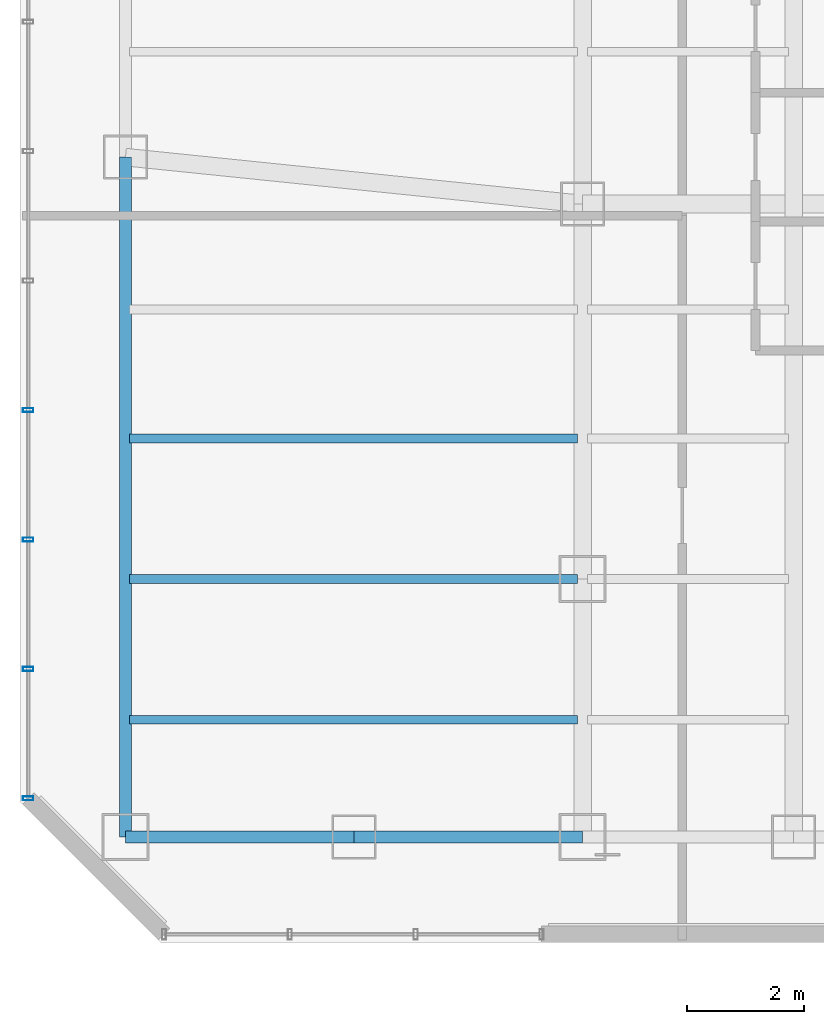
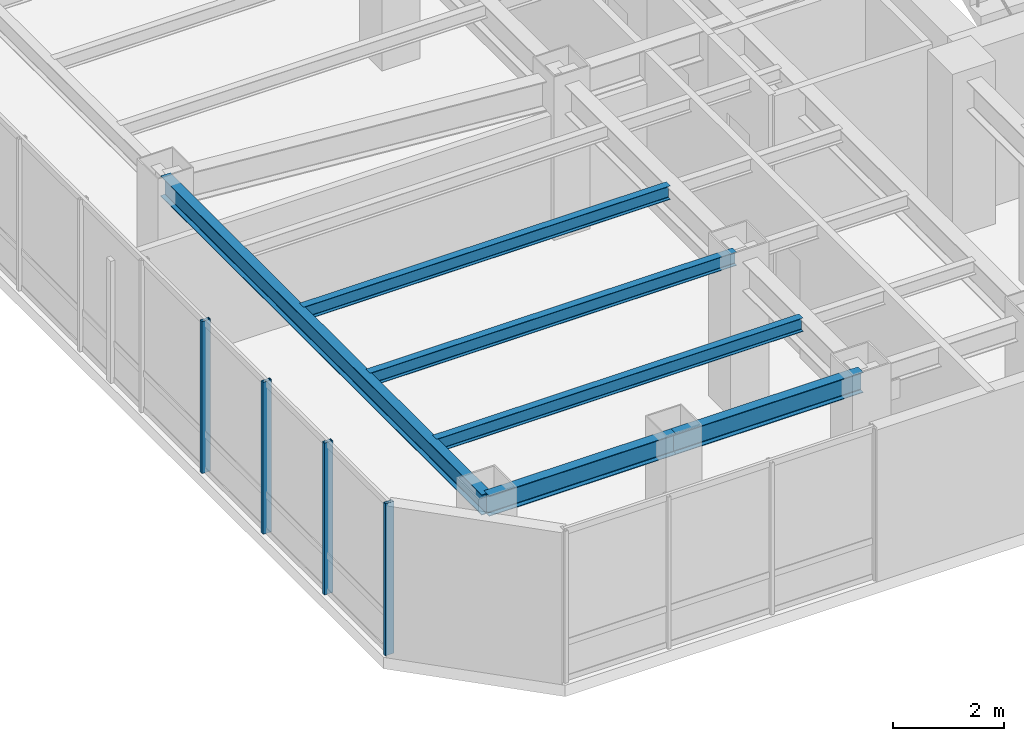
# One storey, part 4 of 27: 6 beams, 4 members, 1 element without a shape of its own.
"""IFC4 building model written with IfcOpenShell, lengths in metres."""

from ifc_helpers import new_model, si_unit, direction, frame, origin, origin_2d, place, context, subcontext, project, spatial, hollow_rectangle, i_section, extrude, material, layer, layer_set, material_profile, profile_set, type_object, element, aggregate, save


model = new_model("IFC4")

# Units and contexts
model_context = context("Model", 3, precision=1e-05, world=origin(), true_north=direction((0.0, 1.0)))
body_context = subcontext(model_context, "Body", "Model", "MODEL_VIEW")
ifc_project = project(units=[si_unit("LENGTHUNIT", "METRE"), si_unit("AREAUNIT", "SQUARE_METRE"), si_unit("VOLUMEUNIT", "CUBIC_METRE"), si_unit("PLANEANGLEUNIT", "RADIAN"), si_unit("MASSUNIT", "GRAM", prefix="KILO")], contexts=[model_context])

# Site, building, storey
site_placement = place(None, origin())
site = spatial("IfcSite", under=ifc_project, at=site_placement, CompositionType="ELEMENT")
building_placement = place(site_placement, origin())
building = spatial("IfcBuilding", under=site, at=building_placement, Name="Hatsunagi Terrace Concourse", CompositionType="ELEMENT")
storey_placement = place(building_placement, frame((0.0, 0.0, 174.449951171875)))
storey = spatial("IfcBuildingStorey", under=building, at=storey_placement, Name="L46", CompositionType="ELEMENT", Elevation=174.449951171875)

# Curtain wall, members
ifc_material_1 = material(Name="Anodised Aluminium Alloy 6063-T5", Category="aluminium")
ifc_layer = layer(ifc_material_1, 0.199951171875)
ifc_layer_set = layer_set([ifc_layer], Name="OfficeZone1_CW03")
curtain_wall_type = type_object("IfcCurtainWallType", Name="OfficeZone1_CW03", PredefinedType="NOTDEFINED", material=ifc_layer_set)
curtain_wall_placement = place(storey_placement, origin())
curtain_wall = element("IfcCurtainWall", 1, at=curtain_wall_placement, inside=storey, type_object=curtain_wall_type, Name="Unitised Curtain Wall CW-03 CW-L46-09", PredefinedType="NOTDEFINED")
ifc_material_2 = material(Name="Anodised Aluminium Alloy 6063-T5", Category="aluminium")
ifc_material_profile_1 = material_profile(ifc_material_2, hollow_rectangle(XDim=0.070068359375, YDim=0.179931640625, WallThickness=0.00390625, at=origin_2d()), Name="ALU-MUL-180x70x4")
ifc_profile_set_1 = profile_set([ifc_material_profile_1], Name="Anodised Aluminium Alloy 6063-T5")
member_type = type_object("IfcMemberType", Name="CurtainWallMullion_180x70", PredefinedType="MULLION", material=ifc_profile_set_1)
member_1_placement = place(storey_placement, frame((9.739990234375, 25.85791015625, 0.0), z_axis=(0.0, 0.0, 1.0), x_axis=(0.0, 1.0, 0.0)))
member_1 = element("IfcMember", 2, at=member_1_placement, type_object=member_type, Name="Curtain Wall Mullion MUL-02", PredefinedType="MULLION", context=body_context, shape_type="SweptSolid", body=[
    extrude(hollow_rectangle(XDim=0.070068359375, YDim=0.179931640625, WallThickness=0.00390625, at=origin_2d()), origin(), (0.0, 0.0, 1.0), 3.35009765625),
])
member_2_placement = place(storey_placement, frame((9.739990234375, 28.06591796875, 0.0), z_axis=(0.0, 0.0, 1.0), x_axis=(0.0, 1.0, 0.0)))
member_2 = element("IfcMember", 3, at=member_2_placement, type_object=member_type, Name="Curtain Wall Mullion MUL-02", PredefinedType="MULLION", context=body_context, shape_type="SweptSolid", body=[
    extrude(hollow_rectangle(XDim=0.070068359375, YDim=0.179931640625, WallThickness=0.00390625, at=origin_2d()), origin(), (0.0, 0.0, 1.0), 3.35009765625),
])
member_3_placement = place(storey_placement, frame((9.739990234375, 30.27490234375, 0.0), z_axis=(0.0, 0.0, 1.0), x_axis=(0.0, 1.0, 0.0)))
member_3 = element("IfcMember", 4, at=member_3_placement, type_object=member_type, Name="Curtain Wall Mullion MUL-02", PredefinedType="MULLION", context=body_context, shape_type="SweptSolid", body=[
    extrude(hollow_rectangle(XDim=0.070068359375, YDim=0.179931640625, WallThickness=0.00390625, at=origin_2d()), origin(), (0.0, 0.0, 1.0), 3.35009765625),
])
member_4_placement = place(storey_placement, frame((9.739990234375, 32.48291015625, 0.0), z_axis=(0.0, 0.0, 1.0), x_axis=(0.0, 1.0, 0.0)))
member_4 = element("IfcMember", 5, at=member_4_placement, type_object=member_type, Name="Curtain Wall Mullion MUL-02", PredefinedType="MULLION", context=body_context, shape_type="SweptSolid", body=[
    extrude(hollow_rectangle(XDim=0.070068359375, YDim=0.179931640625, WallThickness=0.00390625, at=origin_2d()), origin(), (0.0, 0.0, 1.0), 3.35009765625),
])
aggregate(curtain_wall, [member_1, member_2, member_3, member_4])

# Beams
ifc_material_3 = material(Name="Steel SN490B", Category="steel")
ifc_material_profile_2 = material_profile(ifc_material_3, i_section(OverallWidth=0.14990234375, OverallDepth=0.300048828125, WebThickness=0.006591796875, FlangeThickness=0.009033203125, FilletRadius=0.010986328125, at=origin_2d()), Name="H-300x150x6.5x9")
ifc_profile_set_2 = profile_set([ifc_material_profile_2], Name="Steel SN490B")
beam_type_1 = type_object("IfcBeamType", Name="OfficeJoist_H_300x150", PredefinedType="JOIST", material=ifc_profile_set_2)
for number, where, z_axis, x_axis, name in (
    (6, (11.465087890625, 27.199951171875, 3.199951171875), (1.0, 0.0, 0.0), (0.0, 1.0, 0.0), "Beam J-03 J-L46-W-11-272"),
    (7, (11.465087890625, 29.60009765625, 3.199951171875), (1.0, 0.0, 0.0), (0.0, 1.0, 0.0), "Beam J-03 J-L46-W-11-296"),
    (8, (11.465087890625, 32.0, 3.199951171875), (1.0, 0.0, 0.0), (0.0, 1.0, 0.0), "Beam J-03 J-L46-W-11-320"),
):
    element("IfcBeam", number, at=place(storey_placement, frame(where, z_axis=z_axis, x_axis=x_axis)), inside=storey, type_object=beam_type_1, Name=name, PredefinedType="JOIST", context=body_context, shape_type="SweptSolid", body=[
        extrude(i_section(OverallWidth=0.14990234375, OverallDepth=0.300048828125, WebThickness=0.006591796875, FlangeThickness=0.009033203125, FilletRadius=0.010986328125, at=origin_2d()), origin(), (0.0, 0.0, 1.0), 7.64990234375),
    ])
ifc_material_4 = material(Name="Steel SN490B", Category="steel")
ifc_material_profile_3 = material_profile(ifc_material_4, i_section(OverallWidth=0.199951171875, OverallDepth=0.449951171875, WebThickness=0.009033203125, FlangeThickness=0.013916015625, FilletRadius=0.01611328125, at=origin_2d()), Name="H-450x200x9x14")
ifc_profile_set_3 = profile_set([ifc_material_profile_3], Name="Steel SN490B")
beam_type_2 = type_object("IfcBeamType", Name="PerimeterSpandrel_H_450x200", PredefinedType="SPANDREL", material=ifc_profile_set_3)
beam_1_placement = place(storey_placement, frame((11.39990234375, 25.199951171875, 3.125), z_axis=(1.0, 0.0, 0.0), x_axis=(0.0, 1.0, 0.0)))
element("IfcBeam", 9, at=beam_1_placement, inside=storey, type_object=beam_type_2, Name="Beam SP-02 BM-L46-WS-11", PredefinedType="SPANDREL", context=body_context, shape_type="SweptSolid", body=[
    extrude(i_section(OverallWidth=0.199951171875, OverallDepth=0.449951171875, WebThickness=0.009033203125, FlangeThickness=0.013916015625, FilletRadius=0.01611328125, at=origin_2d()), origin(), (0.0, 0.0, 1.0), 3.900146484375),
])
beam_2_placement = place(storey_placement, frame((15.300048828125, 25.199951171875, 3.125), z_axis=(1.0, 0.0, 0.0), x_axis=(0.0, 1.0, 0.0)))
element("IfcBeam", 10, at=beam_2_placement, inside=storey, type_object=beam_type_2, Name="Beam SP-02 BM-L46-WS-15", PredefinedType="SPANDREL", context=body_context, shape_type="SweptSolid", body=[
    extrude(i_section(OverallWidth=0.199951171875, OverallDepth=0.449951171875, WebThickness=0.009033203125, FlangeThickness=0.013916015625, FilletRadius=0.01611328125, at=origin_2d()), origin(), (0.0, 0.0, 1.0), 3.89990234375),
])
beam_3_placement = place(storey_placement, frame((11.39990234375, 25.199951171875, 3.125), z_axis=(0.0, 1.0, 0.0), x_axis=(-1.0, 0.0, 0.0)))
element("IfcBeam", 11, at=beam_3_placement, inside=storey, type_object=beam_type_2, Name="Beam SP-02 BM-L46-NS-11-25", PredefinedType="SPANDREL", context=body_context, shape_type="SweptSolid", body=[
    extrude(i_section(OverallWidth=0.199951171875, OverallDepth=0.449951171875, WebThickness=0.009033203125, FlangeThickness=0.013916015625, FilletRadius=0.01611328125, at=origin_2d()), origin(), (0.0, 0.0, 1.0), 11.60009765625),
])

save(model, "model.ifc")
